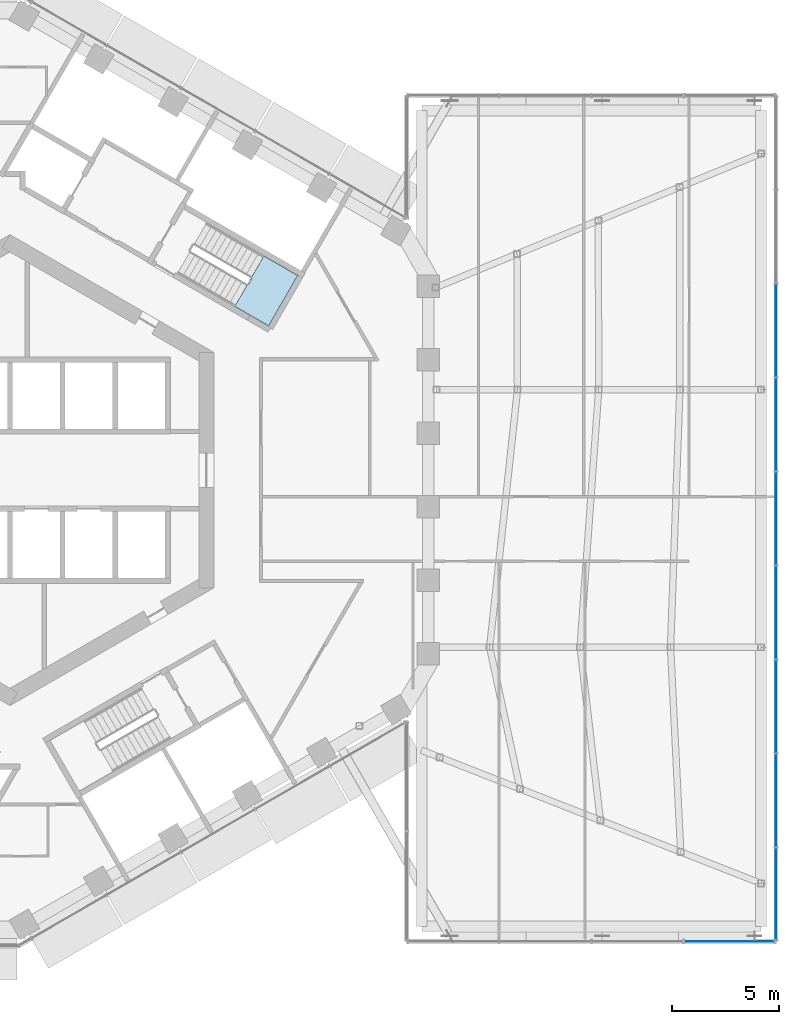
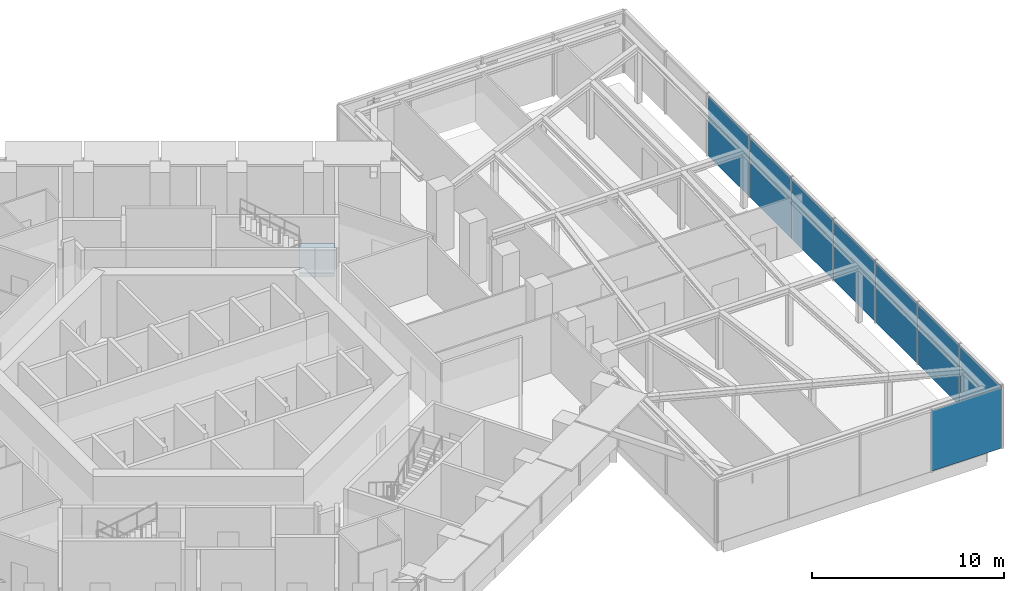
# One storey, part 13 of 24: 8 plates, 1 slab, 3 elements without a shape of their own.
"""IFC4 building model written with IfcOpenShell, lengths in metres."""

from ifc_helpers import new_model, si_unit, direction, frame, origin, origin_2d, place, context, subcontext, project, spatial, polyline, rectangle, outline, extrude, material, layer, layer_set, type_object, element, aggregate, save


model = new_model("IFC4")

# Units and contexts
model_context = context("Model", 3, precision=1e-05, world=origin(), true_north=direction((0.0, 1.0)))
body_context = subcontext(model_context, "Body", "Model", "MODEL_VIEW")
ifc_project = project(units=[si_unit("LENGTHUNIT", "METRE"), si_unit("AREAUNIT", "SQUARE_METRE"), si_unit("VOLUMEUNIT", "CUBIC_METRE"), si_unit("PLANEANGLEUNIT", "RADIAN"), si_unit("MASSUNIT", "GRAM", prefix="KILO")], contexts=[model_context])

# Site, building, storey
site_placement = place(None, origin())
site = spatial("IfcSite", under=ifc_project, at=site_placement, CompositionType="ELEMENT")
building_placement = place(site_placement, origin())
building = spatial("IfcBuilding", under=site, at=building_placement, Name="Ayvan Gate Tower", CompositionType="ELEMENT")
storey_placement = place(building_placement, frame((0.0, 0.0, 128.5)))
storey = spatial("IfcBuildingStorey", under=building, at=storey_placement, Name="L34", CompositionType="ELEMENT", Elevation=128.5)

# Stair, slab
ifc_material_1 = material(Name="Concrete C40/50", Category="concrete")
stair_type = type_object("IfcStairType", Name="ST-EXIT", PredefinedType="HALF_TURN_STAIR", material=ifc_material_1)
stair_placement = place(storey_placement, origin())
stair = element("IfcStair", 1, at=stair_placement, inside=storey, type_object=stair_type, Name="L34 Exit Stair S1", PredefinedType="HALF_TURN_STAIR")
ifc_layer_1 = layer(ifc_material_1, 0.199951171875)
ifc_layer_set_1 = layer_set([ifc_layer_1], Name="Concrete C40/50")
slab_type = type_object("IfcSlabType", Name="SL-LANDING-200", PredefinedType="LANDING", material=ifc_layer_set_1)
slab_placement = place(storey_placement, frame((0.0, 0.0, 1.800048828125)))
slab = element("IfcSlab", 2, at=slab_placement, type_object=slab_type, Name="STS1 landing 1", PredefinedType="LANDING", context=body_context, shape_type="SweptSolid", body=[
    extrude(outline(polyline([(10.473388671875, 7.630615234375), (12.049560546875, 6.720458984375), (13.404541015625, 9.0673828125), (11.828369140625, 9.9775390625), (10.473388671875, 7.630615234375)])), origin(), (0.0, 0.0, 1.0), 0.199951171875),
])
aggregate(stair, [slab])

# Curtain wall, plates
ifc_material_2 = material(Name="Bronze anodised aluminium", Category="aluminium")
ifc_layer_2 = layer(ifc_material_2, 0.199951171875)
ifc_layer_set_2 = layer_set([ifc_layer_2], Name="Bronze anodised aluminium")
curtain_wall_type = type_object("IfcCurtainWallType", Name="Stick curtain wall CW-4", PredefinedType="NOTDEFINED", material=ifc_layer_set_2)
curtain_wall_1_placement = place(storey_placement, origin())
curtain_wall_1 = element("IfcCurtainWall", 3, at=curtain_wall_1_placement, inside=storey, type_object=curtain_wall_type, Name="Stick curtain wall CW-4 L34", PredefinedType="NOTDEFINED")
ifc_material_3 = material(Name="Clear low-iron laminated glass", Category="glass")
ifc_layer_3 = layer(ifc_material_3, 0.028076171875)
ifc_layer_set_3 = layer_set([ifc_layer_3], Name="Clear low-iron laminated glass")
plate_type_1 = type_object("IfcPlateType", Name="Stick curtain wall CW-4 glass panel", PredefinedType="CURTAIN_PANEL", material=ifc_layer_set_3)
plate_1_placement = place(storey_placement, frame((35.685546875, -15.38330078125, 0.0), z_axis=(0.0, 0.0, 1.0), x_axis=(0.0, 1.0, 0.0)))
plate_1 = element("IfcPlate", 4, at=plate_1_placement, type_object=plate_type_1, Name="CW-4 glass panel 2", PredefinedType="CURTAIN_PANEL", context=body_context, shape_type="SweptSolid", body=[
    extrude(rectangle(XDim=4.2978515625, YDim=0.028076171875, at=origin_2d()), origin(), (0.0, 0.0, 1.0), 3.860107421875),
])
plate_2_placement = place(storey_placement, frame((35.685546875, -11.005615234375, 0.0), z_axis=(0.0, 0.0, 1.0), x_axis=(0.0, 1.0, 0.0)))
plate_2 = element("IfcPlate", 5, at=plate_2_placement, type_object=plate_type_1, Name="CW-4 glass panel 3", PredefinedType="CURTAIN_PANEL", context=body_context, shape_type="SweptSolid", body=[
    extrude(rectangle(XDim=4.2978515625, YDim=0.028076171875, at=origin_2d()), origin(), (0.0, 0.0, 1.0), 3.860107421875),
])
plate_3_placement = place(storey_placement, frame((35.685546875, -6.627685546875, 0.0), z_axis=(0.0, 0.0, 1.0), x_axis=(0.0, 1.0, 0.0)))
plate_3 = element("IfcPlate", 6, at=plate_3_placement, type_object=plate_type_1, Name="CW-4 glass panel 4", PredefinedType="CURTAIN_PANEL", context=body_context, shape_type="SweptSolid", body=[
    extrude(rectangle(XDim=4.2978515625, YDim=0.028076171875, at=origin_2d()), origin(), (0.0, 0.0, 1.0), 3.860107421875),
])
plate_4_placement = place(storey_placement, frame((35.685546875, -2.25, 0.0), z_axis=(0.0, 0.0, 1.0), x_axis=(0.0, 1.0, 0.0)))
plate_4 = element("IfcPlate", 7, at=plate_4_placement, type_object=plate_type_1, Name="CW-4 glass panel 5", PredefinedType="CURTAIN_PANEL", context=body_context, shape_type="SweptSolid", body=[
    extrude(rectangle(XDim=4.2978515625, YDim=0.028076171875, at=origin_2d()), origin(), (0.0, 0.0, 1.0), 3.860107421875),
])
plate_5_placement = place(storey_placement, frame((35.685546875, 2.127685546875, 0.0), z_axis=(0.0, 0.0, 1.0), x_axis=(0.0, 1.0, 0.0)))
plate_5 = element("IfcPlate", 8, at=plate_5_placement, type_object=plate_type_1, Name="CW-4 glass panel 6", PredefinedType="CURTAIN_PANEL", context=body_context, shape_type="SweptSolid", body=[
    extrude(rectangle(XDim=4.2978515625, YDim=0.028076171875, at=origin_2d()), origin(), (0.0, 0.0, 1.0), 3.860107421875),
])
plate_6_placement = place(storey_placement, frame((35.685546875, 6.505615234375, 0.0), z_axis=(0.0, 0.0, 1.0), x_axis=(0.0, 1.0, 0.0)))
plate_6 = element("IfcPlate", 9, at=plate_6_placement, type_object=plate_type_1, Name="CW-4 glass panel 7", PredefinedType="CURTAIN_PANEL", context=body_context, shape_type="SweptSolid", body=[
    extrude(rectangle(XDim=4.2978515625, YDim=0.028076171875, at=origin_2d()), origin(), (0.0, 0.0, 1.0), 3.860107421875),
])

# Curtain wall, plate
curtain_wall_2_placement = place(storey_placement, origin())
curtain_wall_2 = element("IfcCurtainWall", 10, at=curtain_wall_2_placement, inside=storey, type_object=curtain_wall_type, Name="Stick curtain wall CW-4 L34", PredefinedType="NOTDEFINED")
ifc_material_4 = material(Name="Pale anodised aluminium composite panel", Category="aluminium")
ifc_layer_4 = layer(ifc_material_4, 0.028076171875)
ifc_layer_set_4 = layer_set([ifc_layer_4], Name="Pale anodised aluminium composite panel")
plate_type_2 = type_object("IfcPlateType", Name="Stick curtain wall CW-4 solid panel", PredefinedType="CURTAIN_PANEL", material=ifc_layer_set_4)
plate_7_placement = place(storey_placement, frame((33.53564453125, -21.949951171875, 0.0), z_axis=(0.0, 0.0, 1.0), x_axis=(1.0, 0.0, 0.0)))
plate_7 = element("IfcPlate", 11, at=plate_7_placement, type_object=plate_type_2, Name="CW-4 solid panel 4", PredefinedType="CURTAIN_PANEL", context=body_context, shape_type="SweptSolid", body=[
    extrude(rectangle(XDim=4.219970703125, YDim=0.028076171875, at=origin_2d()), origin(), (0.0, 0.0, 1.0), 3.860107421875),
])
aggregate(curtain_wall_2, [plate_7])

# Plate
plate_8_placement = place(storey_placement, frame((35.685546875, -19.76123046875, 0.0), z_axis=(0.0, 0.0, 1.0), x_axis=(0.0, 1.0, 0.0)))
plate_8 = element("IfcPlate", 12, at=plate_8_placement, type_object=plate_type_2, Name="CW-4 solid panel 1", PredefinedType="CURTAIN_PANEL", context=body_context, shape_type="SweptSolid", body=[
    extrude(rectangle(XDim=4.2978515625, YDim=0.028076171875, at=origin_2d()), origin(), (0.0, 0.0, 1.0), 3.860107421875),
])

aggregate(curtain_wall_1, [plate_8, plate_1, plate_2, plate_3, plate_4, plate_5, plate_6])

save(model, "model.ifc")
